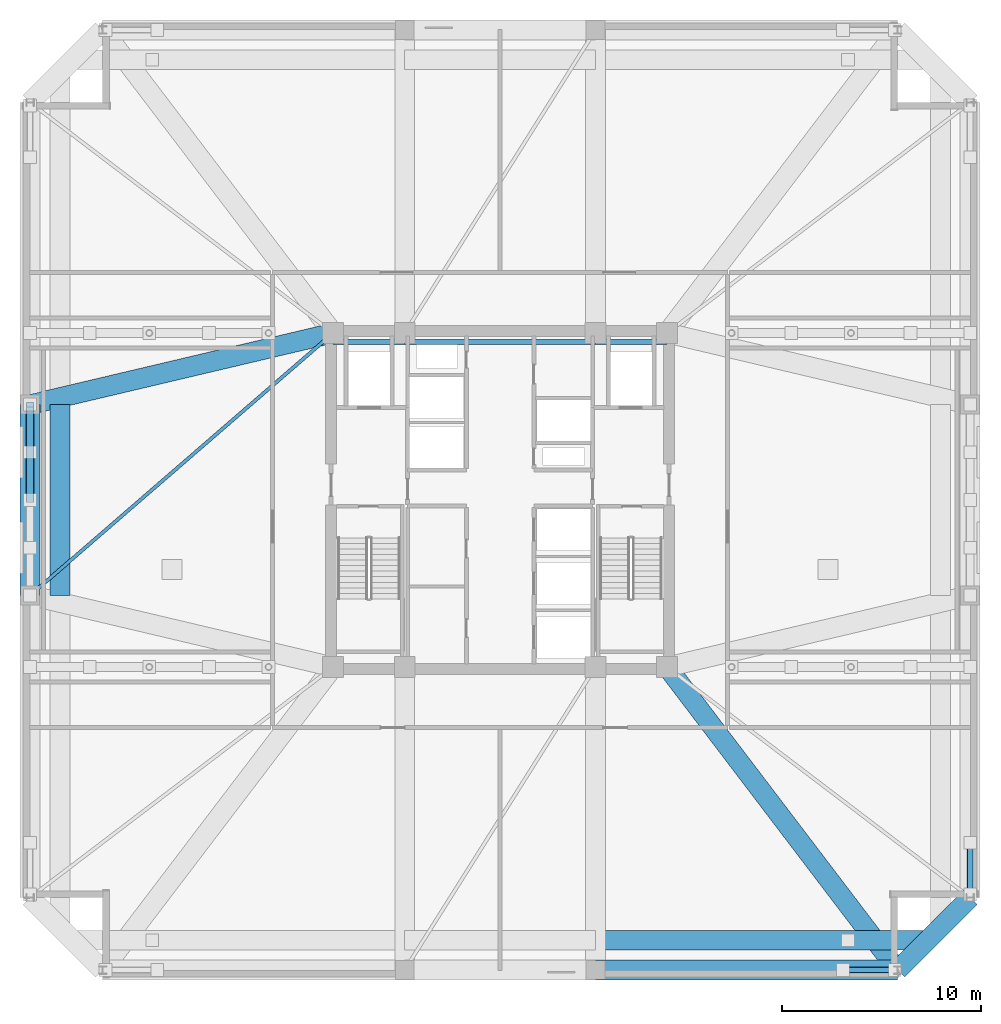
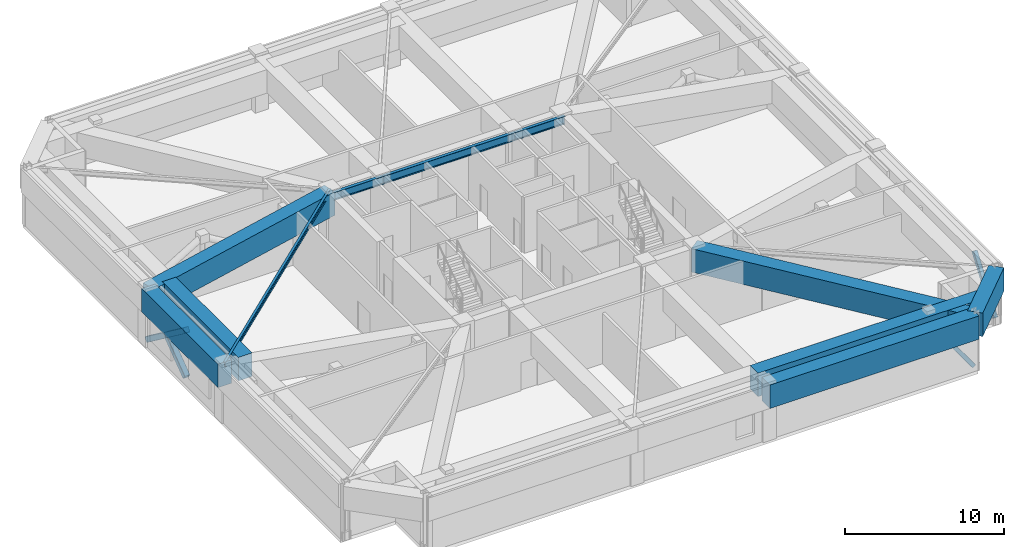
# One storey, part 3 of 13: 11 beams, 5 members.
"""IFC4 building model written with IfcOpenShell, lengths in metres."""

from ifc_helpers import new_model, si_unit, direction, frame, origin, origin_2d, place, context, subcontext, project, spatial, rectangle, hollow_rectangle, i_section, extrude, material, material_profile, profile_set, type_object, element, save


model = new_model("IFC4")

# Units and contexts
model_context = context("Model", 3, precision=1e-05, world=origin(), true_north=direction((0.0, 1.0)))
body_context = subcontext(model_context, "Body", "Model", "MODEL_VIEW")
ifc_project = project(units=[si_unit("LENGTHUNIT", "METRE"), si_unit("AREAUNIT", "SQUARE_METRE"), si_unit("VOLUMEUNIT", "CUBIC_METRE"), si_unit("PLANEANGLEUNIT", "RADIAN"), si_unit("MASSUNIT", "GRAM", prefix="KILO")], contexts=[model_context])

# Site, building, storey
site_placement = place(None, origin())
site = spatial("IfcSite", under=ifc_project, at=site_placement, CompositionType="ELEMENT")
building_placement = place(site_placement, origin())
building = spatial("IfcBuilding", under=site, at=building_placement, Name="Cairnveth Concourse Tower", CompositionType="ELEMENT")
storey_placement = place(building_placement, frame((0.0, 0.0, 193.5)))
storey = spatial("IfcBuildingStorey", under=building, at=storey_placement, Name="L53", CompositionType="ELEMENT", Elevation=193.5)

# Members
ifc_material_1 = material(Name="Steel C350L0 (350 MPa)", Category="steel")
ifc_material_profile_1 = material_profile(ifc_material_1, hollow_rectangle(XDim=0.39990234375, YDim=0.39990234375, WallThickness=0.01611328125, InnerFilletRadius=0.01611328125, OuterFilletRadius=0.031982421875, at=origin_2d()), Name="400x400x16.0SHS")
ifc_profile_set_1 = profile_set([ifc_material_profile_1], Name="Steel C350L0 (350 MPa)")
member_type_1 = type_object("IfcMemberType", Name="BELT TRUSS DIAGONAL 400X400X16SHS", PredefinedType="BRACE", material=ifc_profile_set_1)
member_placement = place(storey_placement, frame((28.35009765625, 39.0, 0.25), z_axis=(0.0, 0.800795977004, 0.598937228109), x_axis=(-1.0, 0.0, 0.0)))
element("IfcMember", 1, at=member_placement, inside=storey, type_object=member_type_1, Name="Structural Brace BLT-BW2A L53", PredefinedType="BRACE", context=body_context, shape_type="SweptSolid", body=[
    extrude(hollow_rectangle(XDim=0.39990234375, YDim=0.39990234375, WallThickness=0.01611328125, InnerFilletRadius=0.01611328125, OuterFilletRadius=0.031982421875, at=origin_2d()), origin(), (0.0, 0.0, 1.0), 5.994140625),
])
for number, where, z_axis, x_axis, name in (
    (2, (28.35009765625, 43.800048828125, 0.25), (0.0, -0.800814731391, 0.598912152145), (1.0, 0.0, 0.0), "Structural Brace BLT-BW2B1 L53"),
    (3, (28.35009765625, 41.387939453125, 2.053955078125), (0.0, -0.800775463126, 0.598964654763), (1.0, 0.0, 0.0), "Structural Brace BLT-BW2B2 L53"),
):
    element("IfcMember", number, at=place(storey_placement, frame(where, z_axis=z_axis, x_axis=x_axis)), inside=storey, type_object=member_type_1, Name=name, PredefinedType="BRACE", context=body_context, shape_type="SweptSolid", body=[
        extrude(hollow_rectangle(XDim=0.39990234375, YDim=0.39990234375, WallThickness=0.01611328125, InnerFilletRadius=0.01611328125, OuterFilletRadius=0.031982421875, at=origin_2d()), origin(), (0.0, 0.0, 1.0), 2.98193359375),
    ])

# Beams
ifc_material_2 = material(Name="Concrete N65 (65 MPa)", Category="concrete")
ifc_material_profile_2 = material_profile(ifc_material_2, rectangle(XDim=1.0, YDim=1.800048828125, at=origin_2d()), Name="RC-TB-1000x1800")
ifc_profile_set_2 = profile_set([ifc_material_profile_2], Name="Concrete N65 (65 MPa)")
beam_type_1 = type_object("IfcBeamType", Name="CONCRETE TRANSFER GIRDER 1000X1800", PredefinedType="BEAM", material=ifc_profile_set_2)
beam_1_placement = place(storey_placement, frame((56.800048828125, 15.35009765625, 3.389892578125), z_axis=(1.0, 0.0, 0.0), x_axis=(0.0, 1.0, 0.0)))
element("IfcBeam", 4, at=beam_1_placement, inside=storey, type_object=beam_type_1, Name="Beam SP-S3 L53", PredefinedType="BEAM", context=body_context, shape_type="SweptSolid", body=[
    extrude(rectangle(XDim=1.0, YDim=1.800048828125, at=origin_2d()), origin(), (0.0, 0.0, 1.0), 15.199951171875),
])
beam_2_placement = place(storey_placement, frame((28.35009765625, 34.199951171875, 3.389892578125), z_axis=(0.0, 1.0, 0.0), x_axis=(-1.0, 0.0, 0.0)))
element("IfcBeam", 5, at=beam_2_placement, inside=storey, type_object=beam_type_1, Name="Beam SP-W2 L53", PredefinedType="BEAM", context=body_context, shape_type="SweptSolid", body=[
    extrude(rectangle(XDim=1.0, YDim=1.800048828125, at=origin_2d()), origin(), (0.0, 0.0, 1.0), 9.60009765625),
])
beam_3_placement = place(storey_placement, frame((72.0, 15.35009765625, 3.389892578125), z_axis=(0.707106781187, 0.707106781187, 0.0), x_axis=(-0.707106781187, 0.707106781187, 0.0)))
element("IfcBeam", 6, at=beam_3_placement, inside=storey, type_object=beam_type_1, Name="Beam SP-SE L53", PredefinedType="BEAM", context=body_context, shape_type="SweptSolid", body=[
    extrude(rectangle(XDim=1.0, YDim=1.800048828125, at=origin_2d()), origin(), (0.0, 0.0, 1.0), 5.16162109375),
])
beam_4_placement = place(storey_placement, frame((72.0, 15.35009765625, 3.389892578125), z_axis=(-0.6054172684, 0.795908242904, 0.0), x_axis=(-0.795908242904, -0.6054172684, 0.0)))
element("IfcBeam", 7, at=beam_4_placement, inside=storey, type_object=beam_type_1, Name="Beam RG-CSE L53", PredefinedType="BEAM", context=body_context, shape_type="SweptSolid", body=[
    extrude(rectangle(XDim=1.0, YDim=1.800048828125, at=origin_2d()), origin(), (0.0, 0.0, 1.0), 19.160400390625),
])
beam_5_placement = place(storey_placement, frame((28.35009765625, 43.800048828125, 3.389892578125), z_axis=(0.973251602929, 0.229741849468, 0.0), x_axis=(-0.229741849468, 0.973251602929, 0.0)))
element("IfcBeam", 8, at=beam_5_placement, inside=storey, type_object=beam_type_1, Name="Beam RG-W2 L53", PredefinedType="BEAM", context=body_context, shape_type="SweptSolid", body=[
    extrude(rectangle(XDim=1.0, YDim=1.800048828125, at=origin_2d()), origin(), (0.0, 0.0, 1.0), 15.669189453125),
])
beam_6_placement = place(storey_placement, frame((56.800048828125, 16.85009765625, 3.389892578125), z_axis=(1.0, 0.0, 0.0), x_axis=(0.0, 1.0, 0.0)))
element("IfcBeam", 9, at=beam_6_placement, inside=storey, type_object=beam_type_1, Name="Beam STG-S3 L53", PredefinedType="BEAM", context=body_context, shape_type="SweptSolid", body=[
    extrude(rectangle(XDim=1.0, YDim=1.800048828125, at=origin_2d()), origin(), (0.0, 0.0, 1.0), 16.699951171875),
])
beam_7_placement = place(storey_placement, frame((29.85009765625, 34.199951171875, 3.389892578125), z_axis=(0.0, 1.0, 0.0), x_axis=(-1.0, 0.0, 0.0)))
element("IfcBeam", 10, at=beam_7_placement, inside=storey, type_object=beam_type_1, Name="Beam STG-W2 L53", PredefinedType="BEAM", context=body_context, shape_type="SweptSolid", body=[
    extrude(rectangle(XDim=1.0, YDim=1.800048828125, at=origin_2d()), origin(), (0.0, 0.0, 1.0), 9.60009765625),
])
ifc_material_3 = material(Name="Steel Grade 350", Category="steel")
ifc_material_profile_3 = material_profile(ifc_material_3, i_section(OverallWidth=0.22802734375, OverallDepth=0.60693359375, WebThickness=0.01123046875, FlangeThickness=0.017333984375, FilletRadius=0.013916015625, at=origin_2d()), Name="610UB113")
ifc_profile_set_3 = profile_set([ifc_material_profile_3], Name="Steel Grade 350")
beam_type_2 = type_object("IfcBeamType", Name="CORE TIE BEAM 610UB113", PredefinedType="T_BEAM", material=ifc_profile_set_3)
for number, where, z_axis, x_axis, name in (
    (11, (43.60009765625, 46.949951171875, 3.986572265625), (1.0, 0.0, 0.0), (0.0, 1.0, 0.0), "Beam CT-N1 L53"),
    (12, (56.800048828125, 46.949951171875, 3.986572265625), (1.0, 0.0, 0.0), (0.0, 1.0, 0.0), "Beam CT-N3 L53"),
):
    element("IfcBeam", number, at=place(storey_placement, frame(where, z_axis=z_axis, x_axis=x_axis)), inside=storey, type_object=beam_type_2, Name=name, PredefinedType="T_BEAM", context=body_context, shape_type="SweptSolid", body=[
        extrude(i_section(OverallWidth=0.22802734375, OverallDepth=0.60693359375, WebThickness=0.01123046875, FlangeThickness=0.017333984375, FilletRadius=0.013916015625, at=origin_2d()), origin(), (0.0, 0.0, 1.0), 3.599853515625),
    ])
beam_8_placement = place(storey_placement, frame((47.199951171875, 46.949951171875, 3.986572265625), z_axis=(1.0, 0.0, 0.0), x_axis=(0.0, 1.0, 0.0)))
element("IfcBeam", 13, at=beam_8_placement, inside=storey, type_object=beam_type_2, Name="Beam CT-N2 L53", PredefinedType="T_BEAM", context=body_context, shape_type="SweptSolid", body=[
    extrude(i_section(OverallWidth=0.22802734375, OverallDepth=0.60693359375, WebThickness=0.01123046875, FlangeThickness=0.017333984375, FilletRadius=0.013916015625, at=origin_2d()), origin(), (0.0, 0.0, 1.0), 9.60009765625),
])
ifc_material_profile_4 = material_profile(ifc_material_3, i_section(OverallWidth=0.172119140625, OverallDepth=0.35888671875, WebThickness=0.008056640625, FlangeThickness=0.012939453125, FilletRadius=0.010986328125, at=origin_2d()), Name="360UB56.7")
ifc_profile_set_4 = profile_set([ifc_material_profile_4], Name="Steel Grade 350")
beam_type_3 = type_object("IfcBeamType", Name="ZONE 2 FLOOR JOIST 360UB56.7", PredefinedType="JOIST", material=ifc_profile_set_4)
beam_9_placement = place(storey_placement, frame((28.35009765625, 34.199951171875, 4.110595703125), z_axis=(0.756099107057, 0.654457134049, 0.0), x_axis=(-0.654457134049, 0.756099107057, 0.0)))
element("IfcBeam", 14, at=beam_9_placement, inside=storey, type_object=beam_type_3, Name="Beam FJ-W-M1 L53", PredefinedType="JOIST", context=body_context, shape_type="SweptSolid", body=[
    extrude(i_section(OverallWidth=0.172119140625, OverallDepth=0.35888671875, WebThickness=0.008056640625, FlangeThickness=0.012939453125, FilletRadius=0.010986328125, at=origin_2d()), origin(), (0.0, 0.0, 1.0), 20.16943359375),
])

# Members
ifc_material_profile_5 = material_profile(ifc_material_1, hollow_rectangle(XDim=0.300048828125, YDim=0.300048828125, WallThickness=0.01611328125, InnerFilletRadius=0.01611328125, OuterFilletRadius=0.031982421875, at=origin_2d()), Name="300x300x16.0SHS")
ifc_profile_set_5 = profile_set([ifc_material_profile_5], Name="Steel C350L0 (350 MPa)")
member_type_2 = type_object("IfcMemberType", Name="ZONE 2 PIER BRACE 300X300X16SHS", PredefinedType="BRACE", material=ifc_profile_set_5)
for number, where, z_axis, x_axis, name in (
    (15, (71.85009765625, 15.35009765625, 0.25), (-0.586565875469, 0.0, 0.809901521011), (0.0, -1.0, 0.0), "Structural Brace PB-S2 L53"),
    (16, (75.64990234375, 19.14990234375, 0.25), (0.0, 0.586565875469, 0.809901521011), (-1.0, 0.0, 0.0), "Structural Brace PB-E1 L53"),
):
    element("IfcMember", number, at=place(storey_placement, frame(where, z_axis=z_axis, x_axis=x_axis)), inside=storey, type_object=member_type_2, Name=name, PredefinedType="BRACE", context=body_context, shape_type="SweptSolid", body=[
        extrude(hollow_rectangle(XDim=0.300048828125, YDim=0.300048828125, WallThickness=0.01611328125, InnerFilletRadius=0.01611328125, OuterFilletRadius=0.031982421875, at=origin_2d()), origin(), (0.0, 0.0, 1.0), 4.432861328125),
    ])

save(model, "model.ifc")
